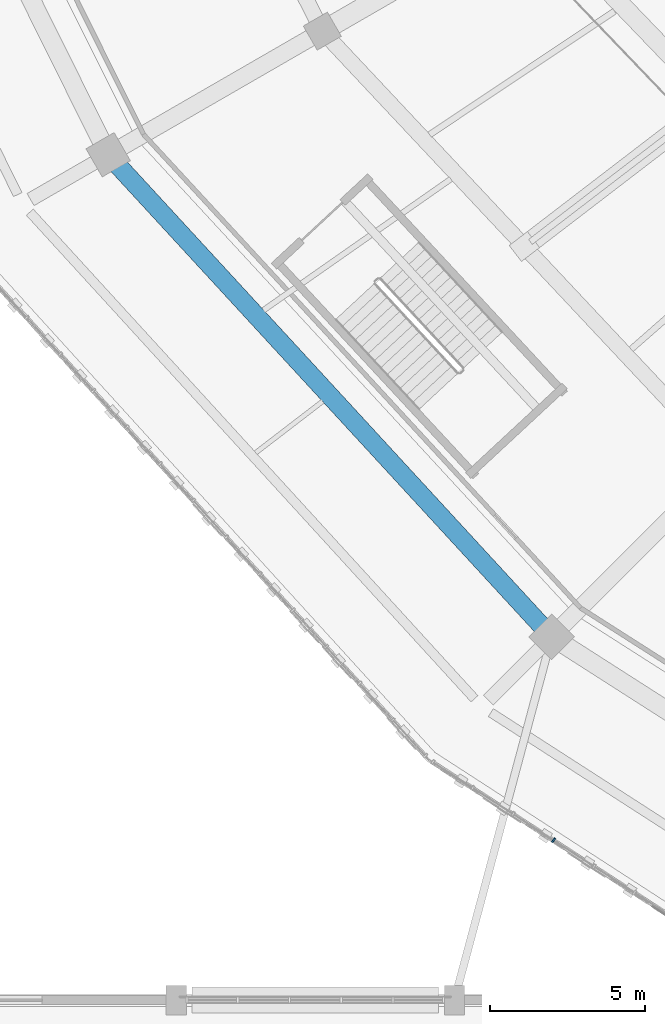
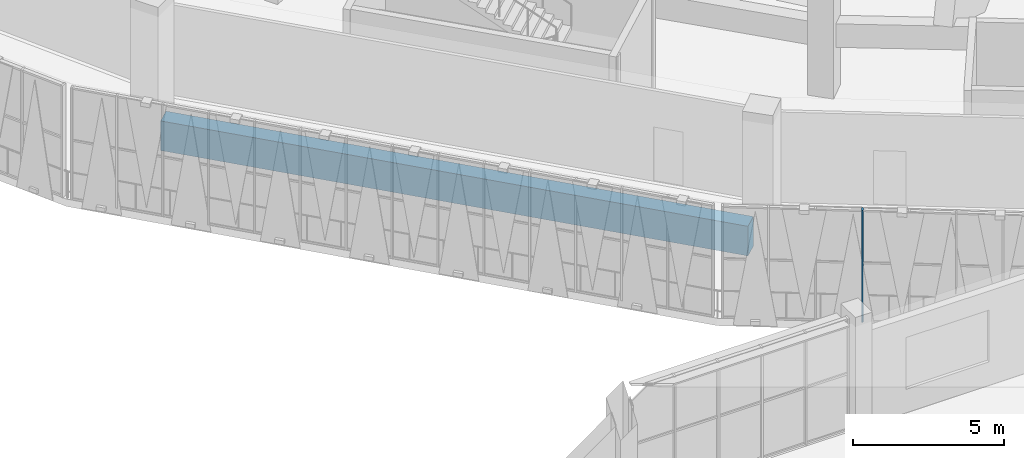
# One storey, part 9 of 152: 1 beam, 1 member, 1 element without a shape of its own.
"""IFC4 building model written with IfcOpenShell, lengths in metres."""

from ifc_helpers import new_model, si_unit, direction, frame, origin, origin_2d, place, context, subcontext, project, spatial, rectangle, extrude, material, material_profile, profile_set, type_object, element, aggregate, save


model = new_model("IFC4")

# Units and contexts
model_context = context("Model", 3, precision=1e-05, world=origin(), true_north=direction((0.0, 1.0)))
body_context = subcontext(model_context, "Body", "Model", "MODEL_VIEW")
ifc_project = project(units=[si_unit("LENGTHUNIT", "METRE"), si_unit("AREAUNIT", "SQUARE_METRE"), si_unit("VOLUMEUNIT", "CUBIC_METRE"), si_unit("PLANEANGLEUNIT", "RADIAN"), si_unit("MASSUNIT", "GRAM", prefix="KILO")], contexts=[model_context])

# Site, building, storey
site_placement = place(None, origin())
site = spatial("IfcSite", under=ifc_project, at=site_placement, CompositionType="ELEMENT")
building_placement = place(site_placement, origin())
building = spatial("IfcBuilding", under=site, at=building_placement, Name="Zevraka Park Crest Stadium", CompositionType="ELEMENT")
storey_placement = place(building_placement, frame((0.0, 0.0, 15.0)))
storey = spatial("IfcBuildingStorey", under=building, at=storey_placement, Name="L03", CompositionType="ELEMENT", Elevation=15.0)

# Curtain wall, member
ifc_material_1 = material(Name="Anodised architectural aluminium and laminated safety glass", Category="aluminium")
curtain_wall_type = type_object("IfcCurtainWallType", Name="CW13", PredefinedType="NOTDEFINED", material=ifc_material_1)
curtain_wall_placement = place(storey_placement, origin())
curtain_wall = element("IfcCurtainWall", 1, at=curtain_wall_placement, inside=storey, type_object=curtain_wall_type, Name="Unitised Ring Curtain Wall CW13 L03-15", PredefinedType="NOTDEFINED")
ifc_material_2 = material(Name="Anodised architectural aluminium", Category="aluminium")
ifc_material_profile_1 = material_profile(ifc_material_2, rectangle(XDim=0.159912109375, YDim=0.06005859375, at=origin_2d()), Name="ALU MULLION 160x60")
ifc_profile_set_1 = profile_set([ifc_material_profile_1], Name="Anodised architectural aluminium")
member_type = type_object("IfcMemberType", Name="CM01", PredefinedType="MULLION", material=ifc_profile_set_1)
member_placement = place(storey_placement, frame((48.20849609375, 32.1708984375, 0.0), z_axis=(0.0, 0.0, 1.0), x_axis=(0.543469160232, 0.839429134517, 0.0)))
member = element("IfcMember", 2, at=member_placement, type_object=member_type, Name="CW13 mullion 4", PredefinedType="MULLION", context=body_context, shape_type="SweptSolid", body=[
    extrude(rectangle(XDim=0.159912109375, YDim=0.06005859375, at=origin_2d()), origin(), (0.0, 0.0, 1.0), 4.5400390625),
])
aggregate(curtain_wall, [member])

# Beam
ifc_material_3 = material(Name="Concrete C40/50", Category="concrete")
ifc_material_profile_2 = material_profile(ifc_material_3, rectangle(XDim=0.60009765625, YDim=1.199951171875, at=origin_2d()), Name="RC 1200x600")
ifc_profile_set_2 = profile_set([ifc_material_profile_2], Name="Concrete C40/50")
beam_type = type_object("IfcBeamType", Name="RB01", PredefinedType="BEAM", material=ifc_profile_set_2)
beam_placement = place(storey_placement, frame((34.054931640625, 54.070068359375, -0.610107421875), z_axis=(0.677158252403, -0.735837414924, 0.0), x_axis=(0.735837414924, 0.677158252403, 0.0)))
element("IfcBeam", 3, at=beam_placement, inside=storey, type_object=beam_type, Name="Ring Beam RB01 L03-D-14", PredefinedType="BEAM", context=body_context, shape_type="SweptSolid", body=[
    extrude(rectangle(XDim=0.60009765625, YDim=1.199951171875, at=origin_2d()), origin(), (0.0, 0.0, 1.0), 20.4326171875),
])

save(model, "model.ifc")
